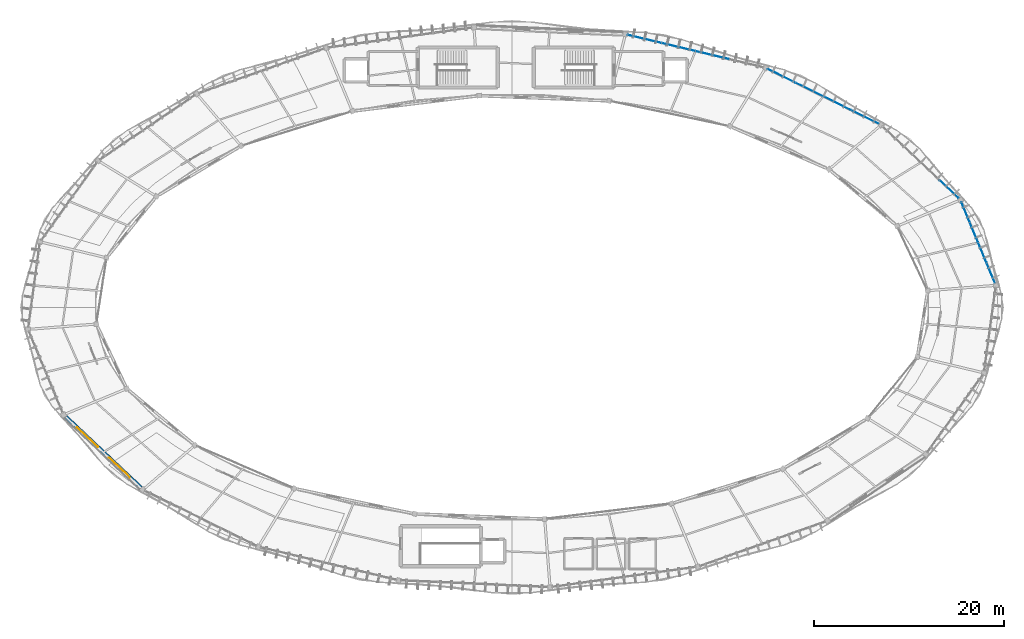
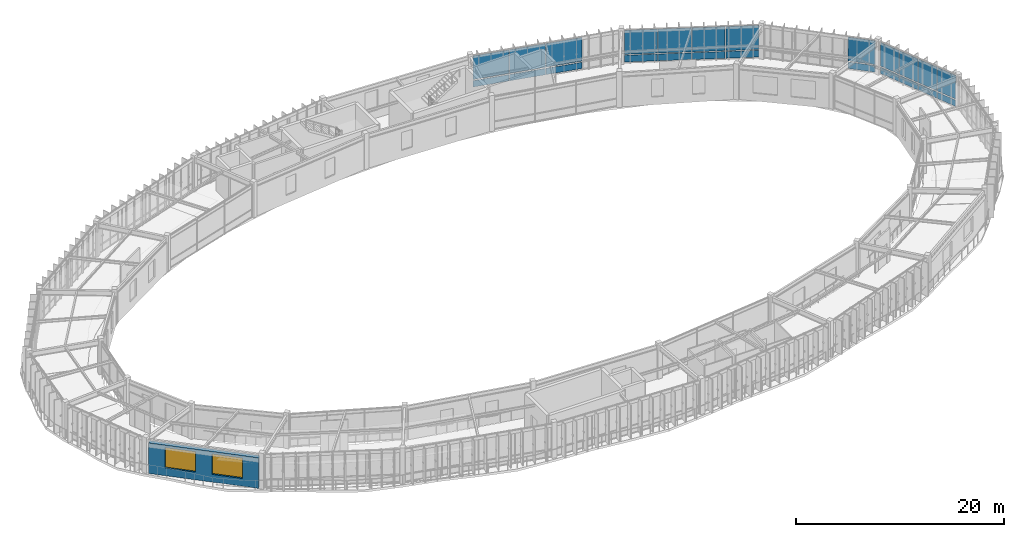
# One storey, part 67 of 78: 24 plates, 2 windows, 1 wall, 2 openings, 4 elements without a shape of their own.
"""IFC4 building model written with IfcOpenShell, lengths in metres."""

from ifc_helpers import new_model, si_unit, direction, frame, frame_2d, origin, origin_2d, place, context, subcontext, project, spatial, rectangle, extrude, material, layer, layer_set, type_object, element, fill, aggregate, save


model = new_model("IFC4")

# Units and contexts
model_context = context("Model", 3, precision=1e-05, world=origin(), true_north=direction((0.0, 1.0)))
body_context = subcontext(model_context, "Body", "Model", "MODEL_VIEW")
ifc_project = project(units=[si_unit("LENGTHUNIT", "METRE"), si_unit("AREAUNIT", "SQUARE_METRE"), si_unit("VOLUMEUNIT", "CUBIC_METRE"), si_unit("PLANEANGLEUNIT", "RADIAN"), si_unit("MASSUNIT", "GRAM", prefix="KILO"), si_unit("THERMODYNAMICTEMPERATUREUNIT", "KELVIN"), si_unit("POWERUNIT", "WATT")], contexts=[model_context])

# Site, building, storey
site_placement = place(None, origin())
site = spatial("IfcSite", under=ifc_project, at=site_placement, CompositionType="ELEMENT")
building_placement = place(site_placement, origin())
building = spatial("IfcBuilding", under=site, at=building_placement, Name="Darbajah Civic Hall", CompositionType="ELEMENT")
storey_placement = place(building_placement, frame((0.0, 0.0, 26.39990234375)))
storey = spatial("IfcBuildingStorey", under=building, at=storey_placement, Name="L06", CompositionType="ELEMENT", Elevation=26.39990234375)

# Curtain wall, plates
ifc_material_1 = material(Name="Anodised Bronze Aluminium and Low-E Glazing", Category="aluminium")
curtain_wall_type_1 = type_object("IfcCurtainWallType", Name="Unitised Curtain Wall CW-79 13000x3900", PredefinedType="USERDEFINED", material=ifc_material_1)
curtain_wall_1_placement = place(storey_placement, origin())
curtain_wall_1 = element("IfcCurtainWall", 1, at=curtain_wall_1_placement, inside=storey, type_object=curtain_wall_type_1, Name="L06 unitised curtain wall CW-V1O-L06-02", ObjectType="UNITISED CURTAIN WALL", PredefinedType="USERDEFINED")
ifc_material_2 = material(Name="Low-E Solar Control Double Glazing", Category="glass")
ifc_layer_1 = layer(ifc_material_2, 0.02392578125, Name="Low-E Solar Control Double Glazing")
ifc_layer_set_1 = layer_set([ifc_layer_1], Name="Low-E Solar Control Double Glazing")
plate_type_1 = type_object("IfcPlateType", Name="Solar Double Glazing 24mm", PredefinedType="CURTAIN_PANEL", material=ifc_layer_set_1)
plate_1_placement = place(storey_placement, frame((126.194580078125, 109.791748046875, 0.10009765625), z_axis=(0.0, 0.0, 1.0), x_axis=(-0.89656374724, 0.442914717678, 0.0)))
plate_1 = element("IfcPlate", 2, at=plate_1_placement, type_object=plate_type_1, Name="CW-V1O-L06-02 glazed panel 1.1", PredefinedType="CURTAIN_PANEL", context=body_context, shape_type="SweptSolid", body=[
    extrude(rectangle(XDim=3.1923828125, YDim=0.02392578125, at=origin_2d()), origin(), (0.0, 0.0, 1.0), 0.800048828125),
])
plate_2_placement = place(storey_placement, frame((126.194580078125, 109.791748046875, 1.0), z_axis=(0.0, 0.0, 1.0), x_axis=(-0.89656374724, 0.442914717678, 0.0)))
plate_2 = element("IfcPlate", 3, at=plate_2_placement, type_object=plate_type_1, Name="CW-V1O-L06-02 glazed panel 1.2", PredefinedType="CURTAIN_PANEL", context=body_context, shape_type="SweptSolid", body=[
    extrude(rectangle(XDim=3.1923828125, YDim=0.02392578125, at=origin_2d()), origin(), (0.0, 0.0, 1.0), 2.820068359375),
])
plate_3_placement = place(storey_placement, frame((123.274169921875, 111.234375, 0.10009765625), z_axis=(0.0, 0.0, 1.0), x_axis=(-0.89656374724, 0.442914717678, 0.0)))
plate_3 = element("IfcPlate", 4, at=plate_3_placement, type_object=plate_type_1, Name="CW-V1O-L06-02 glazed panel 2.1", PredefinedType="CURTAIN_PANEL", context=body_context, shape_type="SweptSolid", body=[
    extrude(rectangle(XDim=3.1923828125, YDim=0.02392578125, at=origin_2d()), origin(), (0.0, 0.0, 1.0), 0.800048828125),
])
plate_4_placement = place(storey_placement, frame((123.274169921875, 111.234375, 1.0), z_axis=(0.0, 0.0, 1.0), x_axis=(-0.89656374724, 0.442914717678, 0.0)))
plate_4 = element("IfcPlate", 5, at=plate_4_placement, type_object=plate_type_1, Name="CW-V1O-L06-02 glazed panel 2.2", PredefinedType="CURTAIN_PANEL", context=body_context, shape_type="SweptSolid", body=[
    extrude(rectangle(XDim=3.1923828125, YDim=0.02392578125, at=origin_2d()), origin(), (0.0, 0.0, 1.0), 2.820068359375),
])
plate_5_placement = place(storey_placement, frame((120.353759765625, 112.67724609375, 0.10009765625), z_axis=(0.0, 0.0, 1.0), x_axis=(-0.89656374724, 0.442914717678, 0.0)))
plate_5 = element("IfcPlate", 6, at=plate_5_placement, type_object=plate_type_1, Name="CW-V1O-L06-02 glazed panel 3.1", PredefinedType="CURTAIN_PANEL", context=body_context, shape_type="SweptSolid", body=[
    extrude(rectangle(XDim=3.1923828125, YDim=0.02392578125, at=origin_2d()), origin(), (0.0, 0.0, 1.0), 0.800048828125),
])
plate_6_placement = place(storey_placement, frame((120.353759765625, 112.67724609375, 1.0), z_axis=(0.0, 0.0, 1.0), x_axis=(-0.89656374724, 0.442914717678, 0.0)))
plate_6 = element("IfcPlate", 7, at=plate_6_placement, type_object=plate_type_1, Name="CW-V1O-L06-02 glazed panel 3.2", PredefinedType="CURTAIN_PANEL", context=body_context, shape_type="SweptSolid", body=[
    extrude(rectangle(XDim=3.1923828125, YDim=0.02392578125, at=origin_2d()), origin(), (0.0, 0.0, 1.0), 2.820068359375),
])
plate_7_placement = place(storey_placement, frame((117.433349609375, 114.119873046875, 0.10009765625), z_axis=(0.0, 0.0, 1.0), x_axis=(-0.89656374724, 0.442914717678, 0.0)))
plate_7 = element("IfcPlate", 8, at=plate_7_placement, type_object=plate_type_1, Name="CW-V1O-L06-02 glazed panel 4.1", PredefinedType="CURTAIN_PANEL", context=body_context, shape_type="SweptSolid", body=[
    extrude(rectangle(XDim=3.1923828125, YDim=0.02392578125, at=origin_2d()), origin(), (0.0, 0.0, 1.0), 0.800048828125),
])
plate_8_placement = place(storey_placement, frame((117.433349609375, 114.119873046875, 1.0), z_axis=(0.0, 0.0, 1.0), x_axis=(-0.89656374724, 0.442914717678, 0.0)))
plate_8 = element("IfcPlate", 9, at=plate_8_placement, type_object=plate_type_1, Name="CW-V1O-L06-02 glazed panel 4.2", PredefinedType="CURTAIN_PANEL", context=body_context, shape_type="SweptSolid", body=[
    extrude(rectangle(XDim=3.1923828125, YDim=0.02392578125, at=origin_2d()), origin(), (0.0, 0.0, 1.0), 2.820068359375),
])
aggregate(curtain_wall_1, [plate_1, plate_2, plate_3, plate_4, plate_5, plate_6, plate_7, plate_8])

curtain_wall_type_2 = type_object("IfcCurtainWallType", Name="Unitised Curtain Wall CW-86 11000x3900", PredefinedType="USERDEFINED", material=ifc_material_1)
curtain_wall_2_placement = place(storey_placement, origin())
curtain_wall_2 = element("IfcCurtainWall", 10, at=curtain_wall_2_placement, inside=storey, type_object=curtain_wall_type_2, Name="L06 unitised curtain wall CW-V1O-L06-01", ObjectType="UNITISED CURTAIN WALL", PredefinedType="USERDEFINED")
ifc_layer_2 = layer(ifc_material_2, 0.028076171875, Name="Low-E Solar Control Double Glazing")
ifc_layer_set_2 = layer_set([ifc_layer_2], Name="Low-E Solar Control Double Glazing")
plate_type_2 = type_object("IfcPlateType", Name="Solar Double Glazing 28mm", PredefinedType="CURTAIN_PANEL", material=ifc_layer_set_2)
plate_9_placement = place(storey_placement, frame((135.038330078125, 102.20263671875, 0.1201171875), z_axis=(0.0, 0.0, 1.0), x_axis=(-0.727173991201, 0.686453193248, 0.0)))
plate_9 = element("IfcPlate", 11, at=plate_9_placement, type_object=plate_type_2, Name="CW-V1O-L06-01 glazed panel 1.1", PredefinedType="CURTAIN_PANEL", context=body_context, shape_type="SweptSolid", body=[
    extrude(rectangle(XDim=2.670166015625, YDim=0.028076171875, at=origin_2d()), origin(), (0.0, 0.0, 1.0), 0.77001953125),
])
plate_10_placement = place(storey_placement, frame((135.038330078125, 102.20263671875, 1.010009765625), z_axis=(0.0, 0.0, 1.0), x_axis=(-0.727173991201, 0.686453193248, 0.0)))
plate_10 = element("IfcPlate", 12, at=plate_10_placement, type_object=plate_type_2, Name="CW-V1O-L06-01 glazed panel 1.2", PredefinedType="CURTAIN_PANEL", context=body_context, shape_type="SweptSolid", body=[
    extrude(rectangle(XDim=2.670166015625, YDim=0.028076171875, at=origin_2d()), origin(), (0.0, 0.0, 1.0), 2.7900390625),
])
aggregate(curtain_wall_2, [plate_9, plate_10])

curtain_wall_type_3 = type_object("IfcCurtainWallType", Name="Unitised Curtain Wall CW-77 9200x3900", PredefinedType="USERDEFINED", material=ifc_material_1)
curtain_wall_3_placement = place(storey_placement, origin())
curtain_wall_3 = element("IfcCurtainWall", 13, at=curtain_wall_3_placement, inside=storey, type_object=curtain_wall_type_3, Name="L06 unitised curtain wall CW-V1O-L06-00", ObjectType="UNITISED CURTAIN WALL", PredefinedType="USERDEFINED")
ifc_layer_3 = layer(ifc_material_2, 0.031982421875, Name="Low-E Solar Control Double Glazing")
ifc_layer_set_3 = layer_set([ifc_layer_3], Name="Low-E Solar Control Double Glazing")
plate_type_3 = type_object("IfcPlateType", Name="Solar Double Glazing 32mm", PredefinedType="CURTAIN_PANEL", material=ifc_layer_set_3)
plate_11_placement = place(storey_placement, frame((139.40478515625, 93.410888671875, 0.14013671875), z_axis=(0.0, 0.0, 1.0), x_axis=(-0.383328328644, 0.923612143954, 0.0)))
plate_11 = element("IfcPlate", 14, at=plate_11_placement, type_object=plate_type_3, Name="CW-V1O-L06-00 glazed panel 1.1", PredefinedType="CURTAIN_PANEL", context=body_context, shape_type="SweptSolid", body=[
    extrude(rectangle(XDim=2.228271484375, YDim=0.031982421875, at=origin_2d()), origin(), (0.0, 0.0, 1.0), 0.739990234375),
])
plate_12_placement = place(storey_placement, frame((139.40478515625, 93.410888671875, 1.02001953125), z_axis=(0.0, 0.0, 1.0), x_axis=(-0.383328328644, 0.923612143954, 0.0)))
plate_12 = element("IfcPlate", 15, at=plate_12_placement, type_object=plate_type_3, Name="CW-V1O-L06-00 glazed panel 1.2", PredefinedType="CURTAIN_PANEL", context=body_context, shape_type="SweptSolid", body=[
    extrude(rectangle(XDim=2.228271484375, YDim=0.031982421875, at=origin_2d()), origin(), (0.0, 0.0, 1.0), 2.760009765625),
])
plate_13_placement = place(storey_placement, frame((138.521728515625, 95.5380859375, 0.14013671875), z_axis=(0.0, 0.0, 1.0), x_axis=(-0.383328328644, 0.923612143954, 0.0)))
plate_13 = element("IfcPlate", 16, at=plate_13_placement, type_object=plate_type_3, Name="CW-V1O-L06-00 glazed panel 2.1", PredefinedType="CURTAIN_PANEL", context=body_context, shape_type="SweptSolid", body=[
    extrude(rectangle(XDim=2.228271484375, YDim=0.031982421875, at=origin_2d()), origin(), (0.0, 0.0, 1.0), 0.739990234375),
])
plate_14_placement = place(storey_placement, frame((138.521728515625, 95.5380859375, 1.02001953125), z_axis=(0.0, 0.0, 1.0), x_axis=(-0.383328328644, 0.923612143954, 0.0)))
plate_14 = element("IfcPlate", 17, at=plate_14_placement, type_object=plate_type_3, Name="CW-V1O-L06-00 glazed panel 2.2", PredefinedType="CURTAIN_PANEL", context=body_context, shape_type="SweptSolid", body=[
    extrude(rectangle(XDim=2.228271484375, YDim=0.031982421875, at=origin_2d()), origin(), (0.0, 0.0, 1.0), 2.760009765625),
])
plate_15_placement = place(storey_placement, frame((137.638916015625, 97.66552734375, 0.14013671875), z_axis=(0.0, 0.0, 1.0), x_axis=(-0.383328328644, 0.923612143954, 0.0)))
plate_15 = element("IfcPlate", 18, at=plate_15_placement, type_object=plate_type_3, Name="CW-V1O-L06-00 glazed panel 3.1", PredefinedType="CURTAIN_PANEL", context=body_context, shape_type="SweptSolid", body=[
    extrude(rectangle(XDim=2.228271484375, YDim=0.031982421875, at=origin_2d()), origin(), (0.0, 0.0, 1.0), 0.739990234375),
])
plate_16_placement = place(storey_placement, frame((137.638916015625, 97.66552734375, 1.02001953125), z_axis=(0.0, 0.0, 1.0), x_axis=(-0.383328328644, 0.923612143954, 0.0)))
plate_16 = element("IfcPlate", 19, at=plate_16_placement, type_object=plate_type_3, Name="CW-V1O-L06-00 glazed panel 3.2", PredefinedType="CURTAIN_PANEL", context=body_context, shape_type="SweptSolid", body=[
    extrude(rectangle(XDim=2.228271484375, YDim=0.031982421875, at=origin_2d()), origin(), (0.0, 0.0, 1.0), 2.760009765625),
])
plate_17_placement = place(storey_placement, frame((136.755859375, 99.79296875, 0.14013671875), z_axis=(0.0, 0.0, 1.0), x_axis=(-0.383328328644, 0.923612143954, 0.0)))
plate_17 = element("IfcPlate", 20, at=plate_17_placement, type_object=plate_type_3, Name="CW-V1O-L06-00 glazed panel 4.1", PredefinedType="CURTAIN_PANEL", context=body_context, shape_type="SweptSolid", body=[
    extrude(rectangle(XDim=2.228271484375, YDim=0.031982421875, at=origin_2d()), origin(), (0.0, 0.0, 1.0), 0.739990234375),
])
plate_18_placement = place(storey_placement, frame((136.755859375, 99.79296875, 1.02001953125), z_axis=(0.0, 0.0, 1.0), x_axis=(-0.383328328644, 0.923612143954, 0.0)))
plate_18 = element("IfcPlate", 21, at=plate_18_placement, type_object=plate_type_3, Name="CW-V1O-L06-00 glazed panel 4.2", PredefinedType="CURTAIN_PANEL", context=body_context, shape_type="SweptSolid", body=[
    extrude(rectangle(XDim=2.228271484375, YDim=0.031982421875, at=origin_2d()), origin(), (0.0, 0.0, 1.0), 2.760009765625),
])
aggregate(curtain_wall_3, [plate_11, plate_12, plate_13, plate_14, plate_15, plate_16, plate_17, plate_18])

curtain_wall_type_4 = type_object("IfcCurtainWallType", Name="Unitised Curtain Wall CW-87 14700x3900", PredefinedType="USERDEFINED", material=ifc_material_1)
curtain_wall_4_placement = place(storey_placement, origin())
curtain_wall_4 = element("IfcCurtainWall", 22, at=curtain_wall_4_placement, inside=storey, type_object=curtain_wall_type_4, Name="L06 unitised curtain wall CW-V1O-L06-03", ObjectType="UNITISED CURTAIN WALL", PredefinedType="USERDEFINED")
plate_19_placement = place(storey_placement, frame((110.157958984375, 116.2919921875, 0.14013671875), z_axis=(0.0, 0.0, 1.0), x_axis=(-0.972492018808, 0.232936200179, 0.0)))
plate_19 = element("IfcPlate", 23, at=plate_19_placement, type_object=plate_type_3, Name="CW-V1O-L06-03 glazed panel 2.1", PredefinedType="CURTAIN_PANEL", context=body_context, shape_type="SweptSolid", body=[
    extrude(rectangle(XDim=3.588623046875, YDim=0.031982421875, at=origin_2d()), origin(), (0.0, 0.0, 1.0), 0.739990234375),
])
plate_20_placement = place(storey_placement, frame((110.157958984375, 116.2919921875, 1.02001953125), z_axis=(0.0, 0.0, 1.0), x_axis=(-0.972492018808, 0.232936200179, 0.0)))
plate_20 = element("IfcPlate", 24, at=plate_20_placement, type_object=plate_type_3, Name="CW-V1O-L06-03 glazed panel 2.2", PredefinedType="CURTAIN_PANEL", context=body_context, shape_type="SweptSolid", body=[
    extrude(rectangle(XDim=3.588623046875, YDim=0.031982421875, at=origin_2d()), origin(), (0.0, 0.0, 1.0), 2.760009765625),
])
plate_21_placement = place(storey_placement, frame((106.59521484375, 117.145751953125, 0.14013671875), z_axis=(0.0, 0.0, 1.0), x_axis=(-0.972492018808, 0.232936200179, 0.0)))
plate_21 = element("IfcPlate", 25, at=plate_21_placement, type_object=plate_type_3, Name="CW-V1O-L06-03 glazed panel 3.1", PredefinedType="CURTAIN_PANEL", context=body_context, shape_type="SweptSolid", body=[
    extrude(rectangle(XDim=3.588623046875, YDim=0.031982421875, at=origin_2d()), origin(), (0.0, 0.0, 1.0), 0.739990234375),
])
plate_22_placement = place(storey_placement, frame((106.59521484375, 117.145751953125, 1.02001953125), z_axis=(0.0, 0.0, 1.0), x_axis=(-0.972492018808, 0.232936200179, 0.0)))
plate_22 = element("IfcPlate", 26, at=plate_22_placement, type_object=plate_type_3, Name="CW-V1O-L06-03 glazed panel 3.2", PredefinedType="CURTAIN_PANEL", context=body_context, shape_type="SweptSolid", body=[
    extrude(rectangle(XDim=3.588623046875, YDim=0.031982421875, at=origin_2d()), origin(), (0.0, 0.0, 1.0), 2.760009765625),
])
plate_23_placement = place(storey_placement, frame((103.0322265625, 117.99951171875, 0.14013671875), z_axis=(0.0, 0.0, 1.0), x_axis=(-0.972492018808, 0.232936200179, 0.0)))
plate_23 = element("IfcPlate", 27, at=plate_23_placement, type_object=plate_type_3, Name="CW-V1O-L06-03 glazed panel 4.1", PredefinedType="CURTAIN_PANEL", context=body_context, shape_type="SweptSolid", body=[
    extrude(rectangle(XDim=3.588623046875, YDim=0.031982421875, at=origin_2d()), origin(), (0.0, 0.0, 1.0), 0.739990234375),
])
plate_24_placement = place(storey_placement, frame((103.0322265625, 117.99951171875, 1.02001953125), z_axis=(0.0, 0.0, 1.0), x_axis=(-0.972492018808, 0.232936200179, 0.0)))
plate_24 = element("IfcPlate", 28, at=plate_24_placement, type_object=plate_type_3, Name="CW-V1O-L06-03 glazed panel 4.2", PredefinedType="CURTAIN_PANEL", context=body_context, shape_type="SweptSolid", body=[
    extrude(rectangle(XDim=3.588623046875, YDim=0.031982421875, at=origin_2d()), origin(), (0.0, 0.0, 1.0), 2.760009765625),
])
aggregate(curtain_wall_4, [plate_19, plate_20, plate_21, plate_22, plate_23, plate_24])

# Wall, openings, windows
ifc_material_3 = material(Name="Qatari Desert Limestone Ashlar", Category="masonry")
ifc_layer_4 = layer(ifc_material_3, 0.419921875, Name="Qatari Desert Limestone Ashlar")
ifc_layer_set_4 = layer_set([ifc_layer_4], Name="Qatari Desert Limestone Ashlar")
wall_type = type_object("IfcWallType", Name="Exterior Wall 420mm", PredefinedType="SOLIDWALL", material=ifc_layer_set_4)
wall_placement = place(storey_placement, frame((42.223876953125, 78.28271484375, 0.0), z_axis=(0.0, 0.0, 1.0), x_axis=(0.727212095058, -0.686412826804, 0.0)))
wall = element("IfcWall", 29, at=wall_placement, inside=storey, type_object=wall_type, Name="L06 exterior wall EW-420", PredefinedType="SOLIDWALL", context=body_context, shape_type="SweptSolid", body=[
    extrude(rectangle(XDim=10.85498046875, YDim=0.419921875, at=frame_2d((5.427490234375, 0.0))), origin(), (0.0, 0.0, 1.0), 3.570068359375),
])
opening_1_placement = place(wall_placement, frame((1.618408203125, 0.0, 0.89990234375)))
opening_1 = element("IfcOpeningElement", 30, at=opening_1_placement, cuts=wall, Name="Opening WN-16", PredefinedType="OPENING", context=body_context, shape_type="SweptSolid", body=[
    extrude(rectangle(XDim=3.0, YDim=2.39990234375, at=frame_2d((1.5, 1.199951171875))), frame((0.0, 0.219970703125, 0.0), z_axis=(0.0, -1.0, 0.0), x_axis=(1.0, 0.0, 0.0)), (0.0, 0.0, 1.0), 0.43994140625),
])
opening_2_placement = place(wall_placement, frame((6.236572265625, 0.0, 0.89990234375)))
opening_2 = element("IfcOpeningElement", 31, at=opening_2_placement, cuts=wall, Name="Opening WN-16", PredefinedType="OPENING", context=body_context, shape_type="SweptSolid", body=[
    extrude(rectangle(XDim=3.0, YDim=2.39990234375, at=frame_2d((1.5, 1.199951171875))), frame((0.0, 0.219970703125, 0.0), z_axis=(0.0, -1.0, 0.0), x_axis=(1.0, 0.0, 0.0)), (0.0, 0.0, 1.0), 0.43994140625),
])
window_type = type_object("IfcWindowType", Name="Facade Window 3000x2400", PartitioningType="DOUBLE_PANEL_VERTICAL", PredefinedType="WINDOW", material=ifc_material_2)
window_1_placement = place(opening_1_placement, origin())
window_1 = element("IfcWindow", 32, at=window_1_placement, inside=storey, type_object=window_type, Name="L06 facade window WN-16", OverallHeight=2.39990234375, OverallWidth=3.0, PartitioningType="SINGLE_PANEL", PredefinedType="WINDOW", context=body_context, shape_type="SweptSolid", body=[
    extrude(rectangle(XDim=3.0, YDim=2.39990234375, at=frame_2d((1.5, 1.199951171875))), frame((0.0, 0.030029296875, 0.0), z_axis=(0.0, -1.0, 0.0), x_axis=(1.0, 0.0, 0.0)), (0.0, 0.0, 1.0), 0.06005859375),
])
fill(opening_1, window_1)
window_2_placement = place(opening_2_placement, origin())
window_2 = element("IfcWindow", 33, at=window_2_placement, inside=storey, type_object=window_type, Name="L06 facade window WN-16", OverallHeight=2.39990234375, OverallWidth=3.0, PartitioningType="SINGLE_PANEL", PredefinedType="WINDOW", context=body_context, shape_type="SweptSolid", body=[
    extrude(rectangle(XDim=3.0, YDim=2.39990234375, at=frame_2d((1.5, 1.199951171875))), frame((0.0, 0.030029296875, 0.0), z_axis=(0.0, -1.0, 0.0), x_axis=(1.0, 0.0, 0.0)), (0.0, 0.0, 1.0), 0.06005859375),
])
fill(opening_2, window_2)

save(model, "model.ifc")
